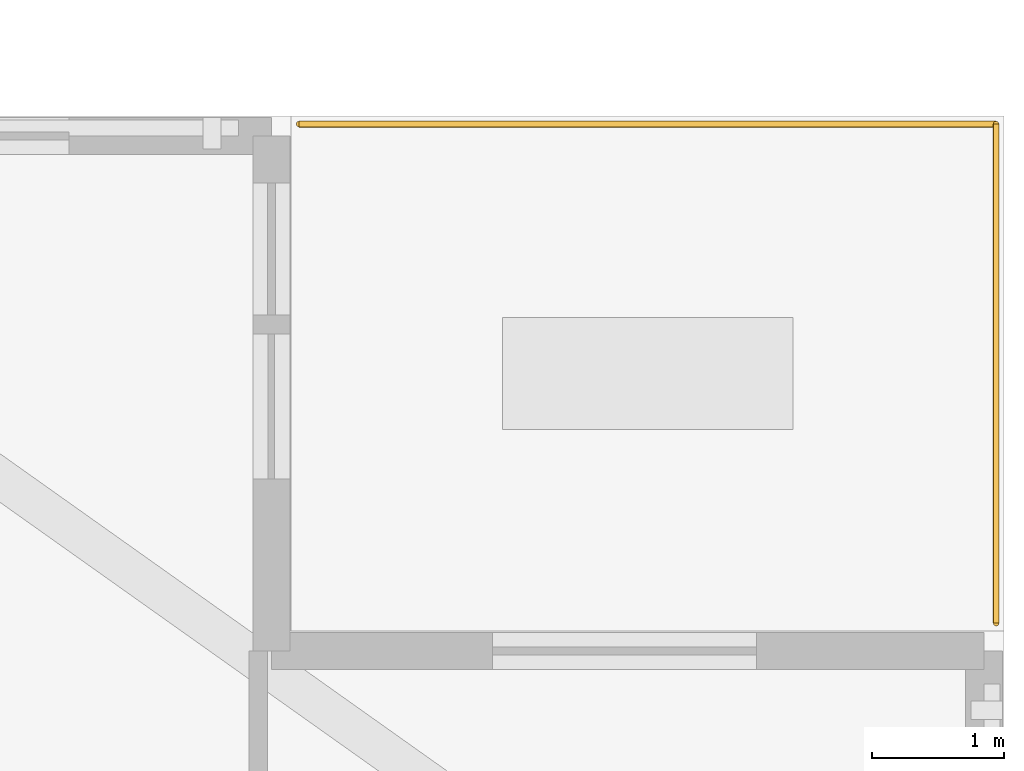
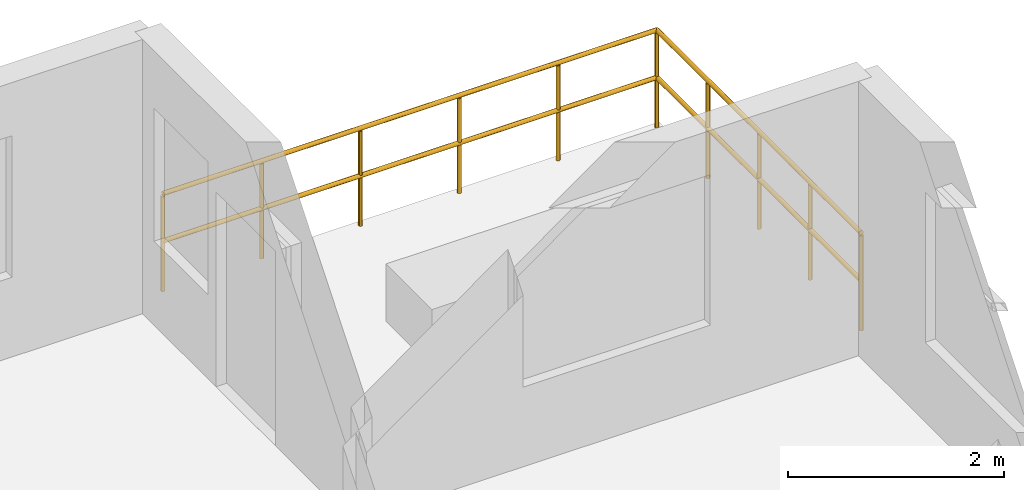
# One storey, part 17 of 17: 2 railings.
"""IFC4 building model written with IfcOpenShell, lengths in metres."""

from ifc_helpers import new_model, si_unit, direction, frame, origin, origin_2d, place, context, subcontext, project, spatial, circle, extrude, material, type_object, element, save


model = new_model("IFC4")

# Units and contexts
model_context = context("Model", 3, precision=1e-05, world=origin(), true_north=direction((0.0, 1.0)))
body_context = subcontext(model_context, "Body", "Model", "MODEL_VIEW")
ifc_project = project(units=[si_unit("LENGTHUNIT", "METRE"), si_unit("AREAUNIT", "SQUARE_METRE"), si_unit("VOLUMEUNIT", "CUBIC_METRE"), si_unit("PLANEANGLEUNIT", "RADIAN"), si_unit("MASSUNIT", "GRAM", prefix="KILO")], contexts=[model_context])

# Site, building, storey
site_placement = place(None, origin())
site = spatial("IfcSite", under=ifc_project, at=site_placement, CompositionType="ELEMENT")
building_placement = place(site_placement, origin())
building = spatial("IfcBuilding", under=site, at=building_placement, Name="Tarnavaz Court Tower", CompositionType="ELEMENT")
storey_placement = place(building_placement, frame((0.0, 0.0, 132.60009765625)))
storey = spatial("IfcBuildingStorey", under=building, at=storey_placement, Name="L35", CompositionType="ELEMENT", Elevation=132.60009765625)

# Railings
ifc_material = material(Name="Anodised Aluminium 6063-T6 and Laminated Safety Glass", Category="aluminium")
railing_type = type_object("IfcRailingType", Name="RL-BAL-1120", PredefinedType="BALUSTRADE", material=ifc_material)
railing_1_placement = place(storey_placement, frame((25.139892578125, 17.4599609375, 0.0)))
element("IfcRailing", 1, at=railing_1_placement, inside=storey, type_object=railing_type, Name="L35 Terrace 1 E Perimeter Balustrade", PredefinedType="BALUSTRADE", context=body_context, shape_type="SweptSolid", body=[
    extrude(circle(Radius=0.02392578125, at=origin_2d()), frame((0.0, 0.0, 1.09619140625), z_axis=(0.0, 1.0, 0.0), x_axis=(-1.0, 0.0, 0.0)), (0.0, 0.0, 1.0), 3.780029296875),
    extrude(circle(Radius=0.02392578125, at=origin_2d()), frame((0.0, 0.0, 0.56005859375), z_axis=(0.0, 1.0, 0.0), x_axis=(-1.0, 0.0, 0.0)), (0.0, 0.0, 1.0), 3.780029296875),
    extrude(circle(Radius=0.02099609375, at=origin_2d()), origin(), (0.0, 0.0, 1.0), 1.072021484375),
    extrude(circle(Radius=0.02099609375, at=origin_2d()), frame((0.0, 0.945068359375, 0.0)), (0.0, 0.0, 1.0), 1.072021484375),
    extrude(circle(Radius=0.02099609375, at=origin_2d()), frame((0.0, 1.89013671875, 0.0)), (0.0, 0.0, 1.0), 1.072021484375),
    extrude(circle(Radius=0.02099609375, at=origin_2d()), frame((0.0, 2.8349609375, 0.0)), (0.0, 0.0, 1.0), 1.072021484375),
    extrude(circle(Radius=0.02099609375, at=origin_2d()), frame((0.0, 3.780029296875, 0.0)), (0.0, 0.0, 1.0), 1.072021484375),
])
railing_2_placement = place(storey_placement, frame((25.139892578125, 21.239990234375, 0.0)))
element("IfcRailing", 2, at=railing_2_placement, inside=storey, type_object=railing_type, Name="L35 Terrace 1 N Perimeter Balustrade", PredefinedType="BALUSTRADE", context=body_context, shape_type="SweptSolid", body=[
    extrude(circle(Radius=0.02392578125, at=origin_2d()), frame((0.0, 0.0, 1.09619140625), z_axis=(-1.0, 0.0, 0.0), x_axis=(0.0, -1.0, 0.0)), (0.0, 0.0, 1.0), 5.27978515625),
    extrude(circle(Radius=0.02392578125, at=origin_2d()), frame((0.0, 0.0, 0.56005859375), z_axis=(-1.0, 0.0, 0.0), x_axis=(0.0, -1.0, 0.0)), (0.0, 0.0, 1.0), 5.27978515625),
    extrude(circle(Radius=0.02099609375, at=origin_2d()), origin(), (0.0, 0.0, 1.0), 1.072021484375),
    extrude(circle(Radius=0.02099609375, at=origin_2d()), frame((-1.055908203125, 0.0, 0.0)), (0.0, 0.0, 1.0), 1.072021484375),
    extrude(circle(Radius=0.02099609375, at=origin_2d()), frame((-2.11181640625, 0.0, 0.0)), (0.0, 0.0, 1.0), 1.072021484375),
    extrude(circle(Radius=0.02099609375, at=origin_2d()), frame((-3.16796875, 0.0, 0.0)), (0.0, 0.0, 1.0), 1.072021484375),
    extrude(circle(Radius=0.02099609375, at=origin_2d()), frame((-4.223876953125, 0.0, 0.0)), (0.0, 0.0, 1.0), 1.072021484375),
    extrude(circle(Radius=0.02099609375, at=origin_2d()), frame((-5.27978515625, 0.0, 0.0)), (0.0, 0.0, 1.0), 1.072021484375),
])

save(model, "model.ifc")
